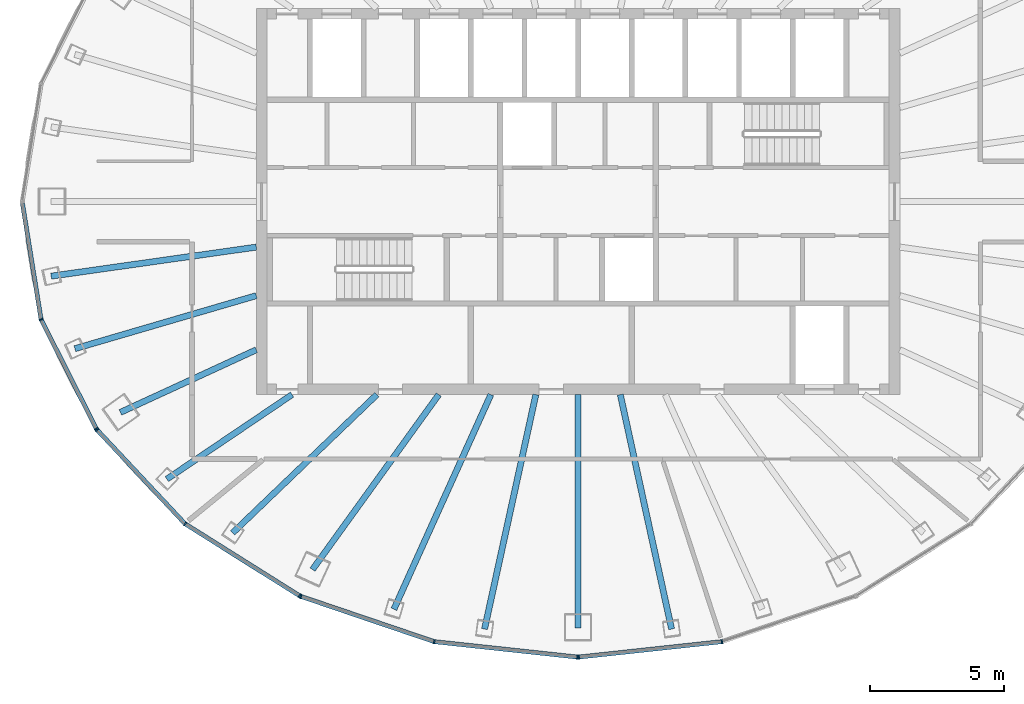
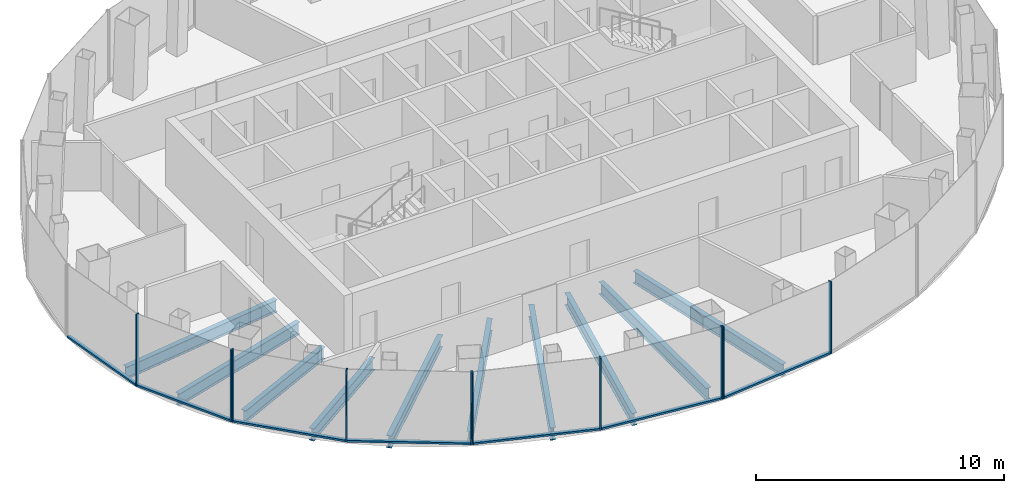
# One storey, part 2 of 11: 17 members, 10 beams, 4 elements without a shape of their own.
"""IFC4 building model written with IfcOpenShell, lengths in metres."""

from ifc_helpers import new_model, si_unit, direction, frame, origin, origin_2d, place, context, subcontext, project, spatial, rectangle, i_section, extrude, material, layer, layer_set, material_profile, profile_set, type_object, element, aggregate, save


model = new_model("IFC4")

# Units and contexts
model_context = context("Model", 3, precision=1e-05, world=origin(), true_north=direction((0.0, 1.0)))
body_context = subcontext(model_context, "Body", "Model", "MODEL_VIEW")
ifc_project = project(units=[si_unit("LENGTHUNIT", "METRE"), si_unit("AREAUNIT", "SQUARE_METRE"), si_unit("VOLUMEUNIT", "CUBIC_METRE"), si_unit("PLANEANGLEUNIT", "RADIAN"), si_unit("MASSUNIT", "GRAM", prefix="KILO")], contexts=[model_context])

# Site, building, storey
site_placement = place(None, origin())
site = spatial("IfcSite", under=ifc_project, at=site_placement, CompositionType="ELEMENT")
building_placement = place(site_placement, origin())
building = spatial("IfcBuilding", under=site, at=building_placement, Name="Siaravel Broadcast Tower", CompositionType="ELEMENT")
storey_placement = place(building_placement, frame((0.0, 0.0, 254.10009765625)))
storey = spatial("IfcBuildingStorey", under=building, at=storey_placement, Name="L62", CompositionType="ELEMENT", Elevation=254.10009765625)

# Beams
ifc_material_1 = material(Name="Steel S355", Category="steel")
ifc_material_profile_1 = material_profile(ifc_material_1, i_section(OverallWidth=0.2275390625, OverallDepth=0.6025390625, WebThickness=0.010498046875, FlangeThickness=0.014892578125, FilletRadius=0.0126953125, at=origin_2d()))
ifc_profile_set_1 = profile_set([ifc_material_profile_1], Name="Steel S355")
beam_type = type_object("IfcBeamType", Name="BM-UB 610x229x101", PredefinedType="BEAM", material=ifc_profile_set_1)
beam_1_placement = place(storey_placement, frame((-19.650390625, -2.78271484375, -0.451416015625), z_axis=(0.990119396, 0.140226892, 0.0), x_axis=(-0.140226892, 0.990119396, 0.0)))
element("IfcBeam", 1, at=beam_1_placement, inside=storey, type_object=beam_type, Name="Radial beam RB20", PredefinedType="BEAM", context=body_context, shape_type="SweptSolid", body=[
    extrude(i_section(OverallWidth=0.2275390625, OverallDepth=0.6025390625, WebThickness=0.010498046875, FlangeThickness=0.014892578125, FilletRadius=0.0126953125, at=origin_2d()), origin(), (0.0, 0.0, 1.0), 7.726806640625),
])
beam_2_placement = place(storey_placement, frame((-18.765380859375, -5.48779296875, -0.451416015625), z_axis=(0.95979842, 0.280690209, 0.0), x_axis=(-0.280690209, 0.95979842, 0.0)))
element("IfcBeam", 2, at=beam_2_placement, inside=storey, type_object=beam_type, Name="Radial beam RB21", PredefinedType="BEAM", context=body_context, shape_type="SweptSolid", body=[
    extrude(i_section(OverallWidth=0.2275390625, OverallDepth=0.6025390625, WebThickness=0.010498046875, FlangeThickness=0.014892578125, FilletRadius=0.0126953125, at=origin_2d()), origin(), (0.0, 0.0, 1.0), 7.048828125),
])
beam_3_placement = place(storey_placement, frame((-17.06884765625, -7.863525390625, -0.451416015625), z_axis=(0.908249809, 0.418428351, 0.0), x_axis=(-0.418428351, 0.908249809, 0.0)))
element("IfcBeam", 3, at=beam_3_placement, inside=storey, type_object=beam_type, Name="Radial beam RB22", PredefinedType="BEAM", context=body_context, shape_type="SweptSolid", body=[
    extrude(i_section(OverallWidth=0.2275390625, OverallDepth=0.6025390625, WebThickness=0.010498046875, FlangeThickness=0.014892578125, FilletRadius=0.0126953125, at=origin_2d()), origin(), (0.0, 0.0, 1.0), 5.580810546875),
])
beam_4_placement = place(storey_placement, frame((-15.334716796875, -10.3515625, -0.451416015625), z_axis=(0.828829078, 0.559501886, 0.0), x_axis=(-0.559501886, 0.828829078, 0.0)))
element("IfcBeam", 4, at=beam_4_placement, inside=storey, type_object=beam_type, Name="Radial beam RB23", PredefinedType="BEAM", context=body_context, shape_type="SweptSolid", body=[
    extrude(i_section(OverallWidth=0.2275390625, OverallDepth=0.6025390625, WebThickness=0.010498046875, FlangeThickness=0.014892578125, FilletRadius=0.0126953125, at=origin_2d()), origin(), (0.0, 0.0, 1.0), 5.6328125),
])
beam_5_placement = place(storey_placement, frame((-12.88330078125, -12.359375, -0.451416015625), z_axis=(0.72163014, 0.692278803, 0.0), x_axis=(-0.692278803, 0.72163014, 0.0)))
element("IfcBeam", 5, at=beam_5_placement, inside=storey, type_object=beam_type, Name="Radial beam RB24", PredefinedType="BEAM", context=body_context, shape_type="SweptSolid", body=[
    extrude(i_section(OverallWidth=0.2275390625, OverallDepth=0.6025390625, WebThickness=0.010498046875, FlangeThickness=0.014892578125, FilletRadius=0.0126953125, at=origin_2d()), origin(), (0.0, 0.0, 1.0), 7.452880859375),
])
beam_6_placement = place(storey_placement, frame((-9.903564453125, -13.723388671875, -0.451416015625), z_axis=(0.585195779, 0.81089204, 0.0), x_axis=(-0.81089204, 0.585195779, 0.0)))
element("IfcBeam", 6, at=beam_6_placement, inside=storey, type_object=beam_type, Name="Radial beam RB25", PredefinedType="BEAM", context=body_context, shape_type="SweptSolid", body=[
    extrude(i_section(OverallWidth=0.2275390625, OverallDepth=0.6025390625, WebThickness=0.010498046875, FlangeThickness=0.014892578125, FilletRadius=0.0126953125, at=origin_2d()), origin(), (0.0, 0.0, 1.0), 8.044677734375),
])
beam_7_placement = place(storey_placement, frame((-6.86767578125, -15.203125, -0.451416015625), z_axis=(0.411671636, 0.911332247, 0.0), x_axis=(-0.911332247, 0.411671636, 0.0)))
element("IfcBeam", 7, at=beam_7_placement, inside=storey, type_object=beam_type, Name="Radial beam RB26", PredefinedType="BEAM", context=body_context, shape_type="SweptSolid", body=[
    extrude(i_section(OverallWidth=0.2275390625, OverallDepth=0.6025390625, WebThickness=0.010498046875, FlangeThickness=0.014892578125, FilletRadius=0.0126953125, at=origin_2d()), origin(), (0.0, 0.0, 1.0), 8.78173828125),
])
beam_8_placement = place(storey_placement, frame((-3.48828125, -15.944580078125, -0.451416015625), z_axis=(0.213718027, 0.976895391, 0.0), x_axis=(-0.976895391, 0.213718027, 0.0)))
element("IfcBeam", 8, at=beam_8_placement, inside=storey, type_object=beam_type, Name="Radial beam RB27", PredefinedType="BEAM", context=body_context, shape_type="SweptSolid", body=[
    extrude(i_section(OverallWidth=0.2275390625, OverallDepth=0.6025390625, WebThickness=0.010498046875, FlangeThickness=0.014892578125, FilletRadius=0.0126953125, at=origin_2d()), origin(), (0.0, 0.0, 1.0), 8.951416015625),
])
beam_9_placement = place(storey_placement, frame((0.0, -15.894775390625, -0.451416015625), z_axis=(0.0, 1.0, 0.0), x_axis=(-1.0, 0.0, 0.0)))
element("IfcBeam", 9, at=beam_9_placement, inside=storey, type_object=beam_type, Name="Radial beam RB28", PredefinedType="BEAM", context=body_context, shape_type="SweptSolid", body=[
    extrude(i_section(OverallWidth=0.2275390625, OverallDepth=0.6025390625, WebThickness=0.010498046875, FlangeThickness=0.014892578125, FilletRadius=0.0126953125, at=origin_2d()), origin(), (0.0, 0.0, 1.0), 8.69482421875),
])
beam_10_placement = place(storey_placement, frame((3.48828125, -15.944580078125, -0.451416015625), z_axis=(-0.213718027, 0.976895391, 0.0), x_axis=(-0.976895391, -0.213718027, 0.0)))
element("IfcBeam", 10, at=beam_10_placement, inside=storey, type_object=beam_type, Name="Radial beam RB29", PredefinedType="BEAM", context=body_context, shape_type="SweptSolid", body=[
    extrude(i_section(OverallWidth=0.2275390625, OverallDepth=0.6025390625, WebThickness=0.010498046875, FlangeThickness=0.014892578125, FilletRadius=0.0126953125, at=origin_2d()), origin(), (0.0, 0.0, 1.0), 8.951416015625),
])

# Curtain wall, members
ifc_material_2 = material(Name="Aluminium 6063-T6", Category="aluminium")
ifc_layer = layer(ifc_material_2, 0.159912109375)
ifc_layer_set = layer_set([ifc_layer], Name="Aluminium 6063-T6")
curtain_wall_type = type_object("IfcCurtainWallType", Name="Unitised curtain wall, zone 4", PredefinedType="NOTDEFINED", material=ifc_layer_set)
curtain_wall_1_placement = place(storey_placement, origin())
curtain_wall_1 = element("IfcCurtainWall", 11, at=curtain_wall_1_placement, inside=storey, type_object=curtain_wall_type, Name="L62 Unitised curtain wall, zone 4 07", PredefinedType="NOTDEFINED")
ifc_material_profile_2 = material_profile(ifc_material_2, rectangle(XDim=0.159912109375, YDim=0.054931640625, at=origin_2d()))
ifc_profile_set_2 = profile_set([ifc_material_profile_2], Name="Aluminium 6063-T6")
member_type_1 = type_object("IfcMemberType", Name="CW-Z4 mullion", PredefinedType="MULLION", material=ifc_profile_set_2)
member_1_placement = place(storey_placement, frame((-20.0263671875, -4.400390625, 0.0), z_axis=(0.0, 0.0, 1.0), x_axis=(0.951177667, 0.30864388, 0.0)))
member_1 = element("IfcMember", 12, at=member_1_placement, type_object=member_type_1, Name="CW-Z4 mullion 2", PredefinedType="MULLION", context=body_context, shape_type="SweptSolid", body=[
    extrude(rectangle(XDim=0.159912109375, YDim=0.054931640625, at=origin_2d()), origin(), (0.0, 0.0, 1.0), 3.5498046875),
])
member_2_placement = place(storey_placement, frame((-17.9658203125, -8.475341796875, 0.0), z_axis=(0.0, 0.0, 1.0), x_axis=(0.892393007, 0.45125904, 0.0)))
member_2 = element("IfcMember", 13, at=member_2_placement, type_object=member_type_1, Name="CW-Z4 mullion 3", PredefinedType="MULLION", context=body_context, shape_type="SweptSolid", body=[
    extrude(rectangle(XDim=0.159912109375, YDim=0.054931640625, at=origin_2d()), origin(), (0.0, 0.0, 1.0), 3.5498046875),
])

curtain_wall_2_placement = place(storey_placement, origin())
curtain_wall_2 = element("IfcCurtainWall", 14, at=curtain_wall_2_placement, inside=storey, type_object=curtain_wall_type, Name="L62 Unitised curtain wall, zone 4 08", PredefinedType="NOTDEFINED")
member_3_placement = place(storey_placement, frame((-17.9345703125, -8.52001953125, 0.0), z_axis=(0.0, 0.0, 1.0), x_axis=(0.729806711, 0.683653541, 0.0)))
member_3 = element("IfcMember", 15, at=member_3_placement, type_object=member_type_1, Name="CW-Z4 mullion 1", PredefinedType="MULLION", context=body_context, shape_type="SweptSolid", body=[
    extrude(rectangle(XDim=0.159912109375, YDim=0.054931640625, at=origin_2d()), origin(), (0.0, 0.0, 1.0), 3.5498046875),
])
member_4_placement = place(storey_placement, frame((-14.6572265625, -12.0185546875, 0.0), z_axis=(0.0, 0.0, 1.0), x_axis=(0.636220107, 0.771507599, 0.0)))
member_4 = element("IfcMember", 16, at=member_4_placement, type_object=member_type_1, Name="CW-Z4 mullion 2", PredefinedType="MULLION", context=body_context, shape_type="SweptSolid", body=[
    extrude(rectangle(XDim=0.159912109375, YDim=0.054931640625, at=origin_2d()), origin(), (0.0, 0.0, 1.0), 3.5498046875),
])
member_5_placement = place(storey_placement, frame((-10.386474609375, -14.702880859375, 0.0), z_axis=(0.0, 0.0, 1.0), x_axis=(0.532150638, 0.84664969, 0.0)))
member_5 = element("IfcMember", 17, at=member_5_placement, type_object=member_type_1, Name="CW-Z4 mullion 3", PredefinedType="MULLION", context=body_context, shape_type="SweptSolid", body=[
    extrude(rectangle(XDim=0.159912109375, YDim=0.054931640625, at=origin_2d()), origin(), (0.0, 0.0, 1.0), 3.5498046875),
])

curtain_wall_3_placement = place(storey_placement, origin())
curtain_wall_3 = element("IfcCurtainWall", 18, at=curtain_wall_3_placement, inside=storey, type_object=curtain_wall_type, Name="L62 Unitised curtain wall, zone 4 09", PredefinedType="NOTDEFINED")
member_6_placement = place(storey_placement, frame((-10.337158203125, -14.726318359375, 0.0), z_axis=(0.0, 0.0, 1.0), x_axis=(0.321301584, 0.946976923, 0.0)))
member_6 = element("IfcMember", 19, at=member_6_placement, type_object=member_type_1, Name="CW-Z4 mullion 1", PredefinedType="MULLION", context=body_context, shape_type="SweptSolid", body=[
    extrude(rectangle(XDim=0.159912109375, YDim=0.054931640625, at=origin_2d()), origin(), (0.0, 0.0, 1.0), 3.5498046875),
])
member_7_placement = place(storey_placement, frame((-5.364013671875, -16.413818359375, 0.0), z_axis=(0.0, 0.0, 1.0), x_axis=(0.215558728, 0.976490878, 0.0)))
member_7 = element("IfcMember", 20, at=member_7_placement, type_object=member_type_1, Name="CW-Z4 mullion 2", PredefinedType="MULLION", context=body_context, shape_type="SweptSolid", body=[
    extrude(rectangle(XDim=0.159912109375, YDim=0.054931640625, at=origin_2d()), origin(), (0.0, 0.0, 1.0), 3.5498046875),
])
member_8_placement = place(storey_placement, frame((-0.02734375, -16.9892578125, 0.0), z_axis=(0.0, 0.0, 1.0), x_axis=(0.107217823, 0.994235555, 0.0)))
member_8 = element("IfcMember", 21, at=member_8_placement, type_object=member_type_1, Name="CW-Z4 mullion 3", PredefinedType="MULLION", context=body_context, shape_type="SweptSolid", body=[
    extrude(rectangle(XDim=0.159912109375, YDim=0.054931640625, at=origin_2d()), origin(), (0.0, 0.0, 1.0), 3.5498046875),
])

curtain_wall_4_placement = place(storey_placement, origin())
curtain_wall_4 = element("IfcCurtainWall", 22, at=curtain_wall_4_placement, inside=storey, type_object=curtain_wall_type, Name="L62 Unitised curtain wall, zone 4 10", PredefinedType="NOTDEFINED")
member_9_placement = place(storey_placement, frame((0.02734375, -16.9892578125, 0.0), z_axis=(0.0, 0.0, 1.0), x_axis=(-0.107217823, 0.994235555, 0.0)))
member_9 = element("IfcMember", 23, at=member_9_placement, type_object=member_type_1, Name="CW-Z4 mullion 1", PredefinedType="MULLION", context=body_context, shape_type="SweptSolid", body=[
    extrude(rectangle(XDim=0.159912109375, YDim=0.054931640625, at=origin_2d()), origin(), (0.0, 0.0, 1.0), 3.5498046875),
])
member_10_placement = place(storey_placement, frame((5.364013671875, -16.413818359375, 0.0), z_axis=(0.0, 0.0, 1.0), x_axis=(-0.215558728, 0.976490878, 0.0)))
member_10 = element("IfcMember", 24, at=member_10_placement, type_object=member_type_1, Name="CW-Z4 mullion 2", PredefinedType="MULLION", context=body_context, shape_type="SweptSolid", body=[
    extrude(rectangle(XDim=0.159912109375, YDim=0.054931640625, at=origin_2d()), origin(), (0.0, 0.0, 1.0), 3.5498046875),
])

# Member
ifc_material_profile_3 = material_profile(ifc_material_2, rectangle(XDim=0.159912109375, YDim=0.090087890625, at=origin_2d()))
ifc_profile_set_3 = profile_set([ifc_material_profile_3], Name="Aluminium 6063-T6")
member_type_2 = type_object("IfcMemberType", Name="CW-Z4 transom", PredefinedType="USERDEFINED", material=ifc_profile_set_3)
member_11_placement = place(storey_placement, frame((-20.724853515625, -0.05419921875, 0.044921875), z_axis=(0.158667409, -0.987332089, 0.0), x_axis=(0.987332089, 0.158667409, 0.0)))
member_11 = element("IfcMember", 25, at=member_11_placement, type_object=member_type_2, Name="CW-Z4 transom 1", ObjectType="TRANSOM", PredefinedType="USERDEFINED", context=body_context, shape_type="SweptSolid", body=[
    extrude(rectangle(XDim=0.159912109375, YDim=0.090087890625, at=origin_2d()), origin(), (0.0, 0.0, 1.0), 4.37451171875),
])

member_12_placement = place(storey_placement, frame((-20.013916015625, -4.425048828125, 0.044921875), z_axis=(0.451257233, -0.892393921, 0.0), x_axis=(0.892393921, 0.451257233, 0.0)))
member_12 = element("IfcMember", 26, at=member_12_placement, type_object=member_type_2, Name="CW-Z4 transom 2", ObjectType="TRANSOM", PredefinedType="USERDEFINED", context=body_context, shape_type="SweptSolid", body=[
    extrude(rectangle(XDim=0.159912109375, YDim=0.090087890625, at=origin_2d()), origin(), (0.0, 0.0, 1.0), 4.510986328125),
])

aggregate(curtain_wall_1, [member_1, member_2, member_11, member_12])

member_13_placement = place(storey_placement, frame((-17.915771484375, -8.5400390625, 0.044921875), z_axis=(0.683649743, -0.729810269, 0.0), x_axis=(0.729810269, 0.683649743, 0.0)))
member_13 = element("IfcMember", 27, at=member_13_placement, type_object=member_type_2, Name="CW-Z4 transom 1", ObjectType="TRANSOM", PredefinedType="USERDEFINED", context=body_context, shape_type="SweptSolid", body=[
    extrude(rectangle(XDim=0.159912109375, YDim=0.090087890625, at=origin_2d()), origin(), (0.0, 0.0, 1.0), 4.739013671875),
])

member_14_placement = place(storey_placement, frame((-14.6337890625, -12.033203125, 0.044921875), z_axis=(0.846648518, -0.532152504, 0.0), x_axis=(0.532152504, 0.846648518, 0.0)))
member_14 = element("IfcMember", 28, at=member_14_placement, type_object=member_type_2, Name="CW-Z4 transom 2", ObjectType="TRANSOM", PredefinedType="USERDEFINED", context=body_context, shape_type="SweptSolid", body=[
    extrude(rectangle(XDim=0.159912109375, YDim=0.090087890625, at=origin_2d()), origin(), (0.0, 0.0, 1.0), 4.9892578125),
])

aggregate(curtain_wall_2, [member_3, member_4, member_5, member_13, member_14])

member_15_placement = place(storey_placement, frame((-10.31103515625, -14.735107421875, 0.044921875), z_axis=(0.946973595, -0.321311392, 0.0), x_axis=(0.321311392, 0.946973595, 0.0)))
member_15 = element("IfcMember", 29, at=member_15_placement, type_object=member_type_2, Name="CW-Z4 transom 1", ObjectType="TRANSOM", PredefinedType="USERDEFINED", context=body_context, shape_type="SweptSolid", body=[
    extrude(rectangle(XDim=0.159912109375, YDim=0.090087890625, at=origin_2d()), origin(), (0.0, 0.0, 1.0), 5.196533203125),
])

member_16_placement = place(storey_placement, frame((-5.336669921875, -16.416748046875, 0.044921875), z_axis=(0.994236077, -0.107212978, 0.0), x_axis=(0.107212978, 0.994236077, 0.0)))
member_16 = element("IfcMember", 30, at=member_16_placement, type_object=member_type_2, Name="CW-Z4 transom 2", ObjectType="TRANSOM", PredefinedType="USERDEFINED", context=body_context, shape_type="SweptSolid", body=[
    extrude(rectangle(XDim=0.159912109375, YDim=0.090087890625, at=origin_2d()), origin(), (0.0, 0.0, 1.0), 5.3125),
])

aggregate(curtain_wall_3, [member_6, member_7, member_8, member_15, member_16])

member_17_placement = place(storey_placement, frame((0.0546875, -16.986328125, 0.044921875), z_axis=(0.994236077, 0.107212978, 0.0), x_axis=(-0.107212978, 0.994236077, 0.0)))
member_17 = element("IfcMember", 31, at=member_17_placement, type_object=member_type_2, Name="CW-Z4 transom 1", ObjectType="TRANSOM", PredefinedType="USERDEFINED", context=body_context, shape_type="SweptSolid", body=[
    extrude(rectangle(XDim=0.159912109375, YDim=0.090087890625, at=origin_2d()), origin(), (0.0, 0.0, 1.0), 5.3125),
])

aggregate(curtain_wall_4, [member_9, member_10, member_17])

save(model, "model.ifc")
